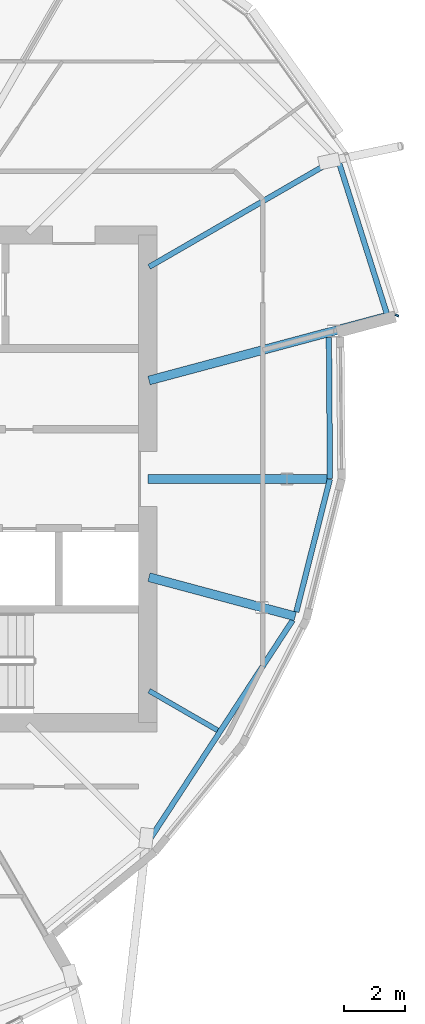
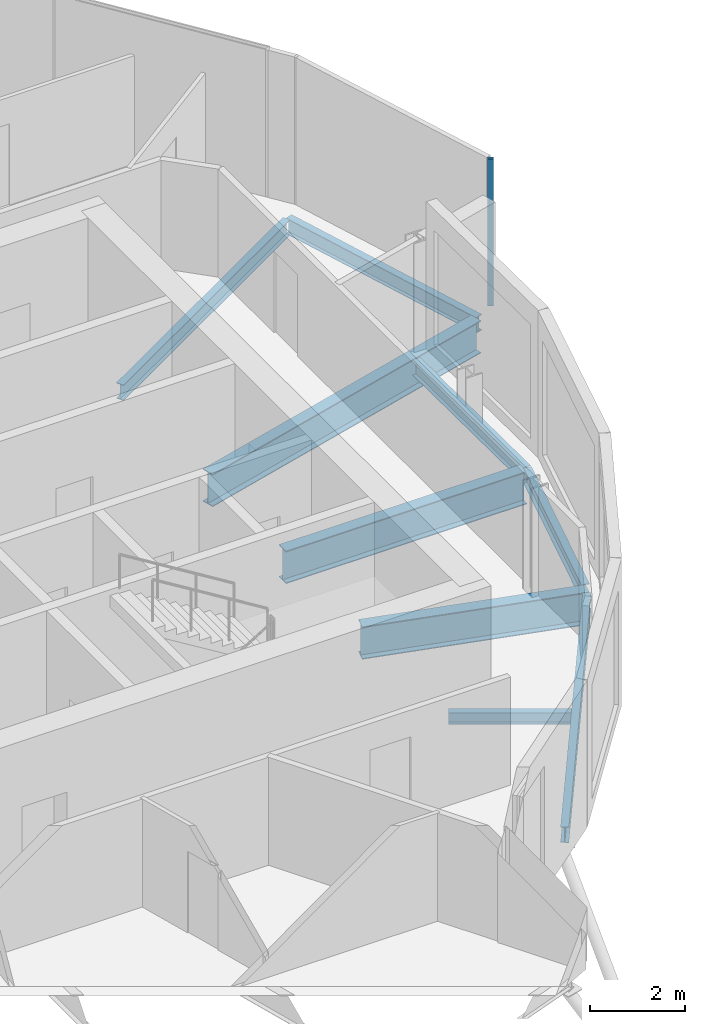
# One storey, part 14 of 35: 9 beams, 1 member, 1 element without a shape of its own.
"""IFC4 building model written with IfcOpenShell, lengths in metres."""

from ifc_helpers import new_model, si_unit, direction, frame, origin, origin_2d, place, context, subcontext, project, spatial, rectangle, i_section, extrude, material, material_profile, profile_set, type_object, element, aggregate, save


model = new_model("IFC4")

# Units and contexts
model_context = context("Model", 3, precision=1e-05, world=origin(), true_north=direction((0.0, 1.0)))
body_context = subcontext(model_context, "Body", "Model", "MODEL_VIEW")
ifc_project = project(units=[si_unit("LENGTHUNIT", "METRE"), si_unit("AREAUNIT", "SQUARE_METRE"), si_unit("VOLUMEUNIT", "CUBIC_METRE"), si_unit("PLANEANGLEUNIT", "RADIAN"), si_unit("MASSUNIT", "GRAM", prefix="KILO")], contexts=[model_context])

# Site, building, storey
site_placement = place(None, origin())
site = spatial("IfcSite", under=ifc_project, at=site_placement, CompositionType="ELEMENT")
building_placement = place(site_placement, origin())
building = spatial("IfcBuilding", under=site, at=building_placement, Name="Rimbun Link Towers", CompositionType="ELEMENT")
storey_placement = place(building_placement, frame((0.0, 0.0, 196.89990234375)))
storey = spatial("IfcBuildingStorey", under=building, at=storey_placement, Name="L48", CompositionType="ELEMENT", Elevation=196.89990234375)

# Curtain wall, member
ifc_material_1 = material(Name="Aluminium 6063-T6 and low-iron glass", Category="aluminium")
curtain_wall_type = type_object("IfcCurtainWallType", Name="CW1-Z3 unitised vision wall (zone 3)", PredefinedType="NOTDEFINED", material=ifc_material_1)
curtain_wall_placement = place(storey_placement, origin())
curtain_wall = element("IfcCurtainWall", 1, at=curtain_wall_placement, inside=storey, type_object=curtain_wall_type, Name="CW1 L48 T2", PredefinedType="NOTDEFINED")
ifc_material_2 = material(Name="Aluminium 6063-T6", Category="aluminium")
ifc_material_profile_1 = material_profile(ifc_material_2, rectangle(XDim=0.1201171875, YDim=0.06005859375, at=origin_2d()), Name="MULLION 60X120")
ifc_profile_set_1 = profile_set([ifc_material_profile_1], Name="Aluminium 6063-T6")
member_type = type_object("IfcMemberType", Name="CW1 mullion 60X120", PredefinedType="MULLION", material=ifc_profile_set_1)
member_placement = place(storey_placement, frame((51.924072265625, 5.36279296875, 0.0), z_axis=(0.0, 0.0, 1.0), x_axis=(0.877316894371, -0.479911519814, 0.0)))
member = element("IfcMember", 2, at=member_placement, type_object=member_type, Name="CW1 mullion", PredefinedType="MULLION", context=body_context, shape_type="SweptSolid", body=[
    extrude(rectangle(XDim=0.1201171875, YDim=0.06005859375, at=origin_2d()), origin(), (0.0, 0.0, 1.0), 3.800048828125),
])
aggregate(curtain_wall, [member])

# Beams
ifc_material_3 = material(Name="Steel S355J2", Category="steel")
ifc_material_profile_2 = material_profile(ifc_material_3, i_section(OverallWidth=0.1650390625, OverallDepth=0.303466796875, WebThickness=0.006103515625, FlangeThickness=0.01025390625, at=origin_2d()), Name="UB 305x165x40")
ifc_profile_set_2 = profile_set([ifc_material_profile_2], Name="Steel S355J2")
beam_type_1 = type_object("IfcBeamType", Name="UB 305x165x40", PredefinedType="BEAM", material=ifc_profile_set_2)
beam_1_placement = place(storey_placement, frame((43.7919921875, -6.952392578125, -0.301513671875), z_axis=(0.866007112766, -0.500031679635, 0.0), x_axis=(0.500031679635, 0.866007112766, 0.0)))
element("IfcBeam", 3, at=beam_1_placement, inside=storey, type_object=beam_type_1, Name="Radial beam T2 L48 19", PredefinedType="BEAM", context=body_context, shape_type="SweptSolid", body=[
    extrude(i_section(OverallWidth=0.1650390625, OverallDepth=0.303466796875, WebThickness=0.006103515625, FlangeThickness=0.01025390625, at=origin_2d()), origin(), (0.0, 0.0, 1.0), 2.596923828125),
])
ifc_material_4 = material(Name="Steel S355J2", Category="steel")
ifc_material_profile_3 = material_profile(ifc_material_4, i_section(OverallWidth=0.177978515625, OverallDepth=0.406494140625, WebThickness=0.0078125, FlangeThickness=0.0126953125, at=origin_2d()), Name="UB 406x178x60")
ifc_profile_set_3 = profile_set([ifc_material_profile_3], Name="Steel S355J2")
beam_type_2 = type_object("IfcBeamType", Name="UB 406x178x60", PredefinedType="BEAM", material=ifc_profile_set_3)
beam_2_placement = place(storey_placement, frame((43.79541015625, 6.954345703125, -0.35302734375), z_axis=(0.866021131746, 0.500007399315, 0.0), x_axis=(-0.500007399315, 0.866021131746, 0.0)))
element("IfcBeam", 4, at=beam_2_placement, inside=storey, type_object=beam_type_2, Name="Radial beam T2 L48 23", PredefinedType="BEAM", context=body_context, shape_type="SweptSolid", body=[
    extrude(i_section(OverallWidth=0.177978515625, OverallDepth=0.406494140625, WebThickness=0.0078125, FlangeThickness=0.0126953125, at=origin_2d()), origin(), (0.0, 0.0, 1.0), 7.0458984375),
])
beam_3_placement = place(storey_placement, frame((43.771728515625, -11.89453125, -0.35302734375), z_axis=(0.546338296715, 0.837564603803, 0.0), x_axis=(-0.837564603803, 0.546338296715, 0.0)))
element("IfcBeam", 5, at=beam_3_placement, inside=storey, type_object=beam_type_2, Name="Edge beam T2 L48 18-20", PredefinedType="BEAM", context=body_context, shape_type="SweptSolid", body=[
    extrude(i_section(OverallWidth=0.177978515625, OverallDepth=0.406494140625, WebThickness=0.0078125, FlangeThickness=0.0126953125, at=origin_2d()), origin(), (0.0, 0.0, 1.0), 8.659912109375),
])
beam_4_placement = place(storey_placement, frame((48.6240234375, -4.36767578125, -0.35302734375), z_axis=(0.244926000863, 0.969541775326, 0.0), x_axis=(-0.969541775326, 0.244926000863, 0.0)))
element("IfcBeam", 6, at=beam_4_placement, inside=storey, type_object=beam_type_2, Name="Edge beam T2 L48 20 recess", PredefinedType="BEAM", context=body_context, shape_type="SweptSolid", body=[
    extrude(i_section(OverallWidth=0.177978515625, OverallDepth=0.406494140625, WebThickness=0.0078125, FlangeThickness=0.0126953125, at=origin_2d()), origin(), (0.0, 0.0, 1.0), 4.492431640625),
])
beam_5_placement = place(storey_placement, frame((49.727294921875, 0.012451171875, -0.35302734375), z_axis=(-0.007716064356, 0.999970230732, 0.0), x_axis=(-0.999970230732, -0.007716064356, 0.0)))
element("IfcBeam", 7, at=beam_5_placement, inside=storey, type_object=beam_type_2, Name="Edge beam T2 L48 21 recess", PredefinedType="BEAM", context=body_context, shape_type="SweptSolid", body=[
    extrude(i_section(OverallWidth=0.177978515625, OverallDepth=0.406494140625, WebThickness=0.0078125, FlangeThickness=0.0126953125, at=origin_2d()), origin(), (0.0, 0.0, 1.0), 4.61962890625),
])
beam_6_placement = place(storey_placement, frame((51.62255859375, 5.325927734375, -0.35302734375), z_axis=(-0.301840819217, 0.953358337591, 0.0), x_axis=(-0.953358337591, -0.301840819217, 0.0)))
element("IfcBeam", 8, at=beam_6_placement, inside=storey, type_object=beam_type_2, Name="Edge beam T2 L48 22", PredefinedType="BEAM", context=body_context, shape_type="SweptSolid", body=[
    extrude(i_section(OverallWidth=0.177978515625, OverallDepth=0.406494140625, WebThickness=0.0078125, FlangeThickness=0.0126953125, at=origin_2d()), origin(), (0.0, 0.0, 1.0), 5.45068359375),
])
ifc_material_5 = material(Name="Steel S355J2", Category="steel")
ifc_material_profile_4 = material_profile(ifc_material_5, i_section(OverallWidth=0.29248046875, OverallDepth=0.8408203125, WebThickness=0.0126953125, FlangeThickness=0.021728515625, at=origin_2d()), Name="UB 838x292x194")
ifc_profile_set_4 = profile_set([ifc_material_profile_4], Name="Steel S355J2")
beam_type_3 = type_object("IfcBeamType", Name="UB 838x292x194", PredefinedType="BEAM", material=ifc_profile_set_4)
beam_7_placement = place(storey_placement, frame((43.788818359375, -3.225830078125, -0.5703125), z_axis=(0.965923483758, -0.258827787391, 0.0), x_axis=(0.258827787391, 0.965923483758, 0.0)))
element("IfcBeam", 9, at=beam_7_placement, inside=storey, type_object=beam_type_3, Name="Radial beam T2 L48 20", PredefinedType="BEAM", context=body_context, shape_type="SweptSolid", body=[
    extrude(i_section(OverallWidth=0.29248046875, OverallDepth=0.8408203125, WebThickness=0.0126953125, FlangeThickness=0.021728515625, at=origin_2d()), origin(), (0.0, 0.0, 1.0), 4.968017578125),
])
beam_8_placement = place(storey_placement, frame((43.7509765625, 0.0, -0.5703125), z_axis=(1.0, 0.0, 0.0), x_axis=(0.0, 1.0, 0.0)))
element("IfcBeam", 10, at=beam_8_placement, inside=storey, type_object=beam_type_3, Name="Radial beam T2 L48 21", PredefinedType="BEAM", context=body_context, shape_type="SweptSolid", body=[
    extrude(i_section(OverallWidth=0.29248046875, OverallDepth=0.8408203125, WebThickness=0.0126953125, FlangeThickness=0.021728515625, at=origin_2d()), origin(), (0.0, 0.0, 1.0), 5.8857421875),
])
beam_9_placement = place(storey_placement, frame((43.788818359375, 3.225830078125, -0.5703125), z_axis=(0.965930116514, 0.258803033235, 0.0), x_axis=(-0.258803033235, 0.965930116514, 0.0)))
element("IfcBeam", 11, at=beam_9_placement, inside=storey, type_object=beam_type_3, Name="Radial beam T2 L48 22", PredefinedType="BEAM", context=body_context, shape_type="SweptSolid", body=[
    extrude(i_section(OverallWidth=0.29248046875, OverallDepth=0.8408203125, WebThickness=0.0126953125, FlangeThickness=0.021728515625, at=origin_2d()), origin(), (0.0, 0.0, 1.0), 8.020263671875),
])

save(model, "model.ifc")
